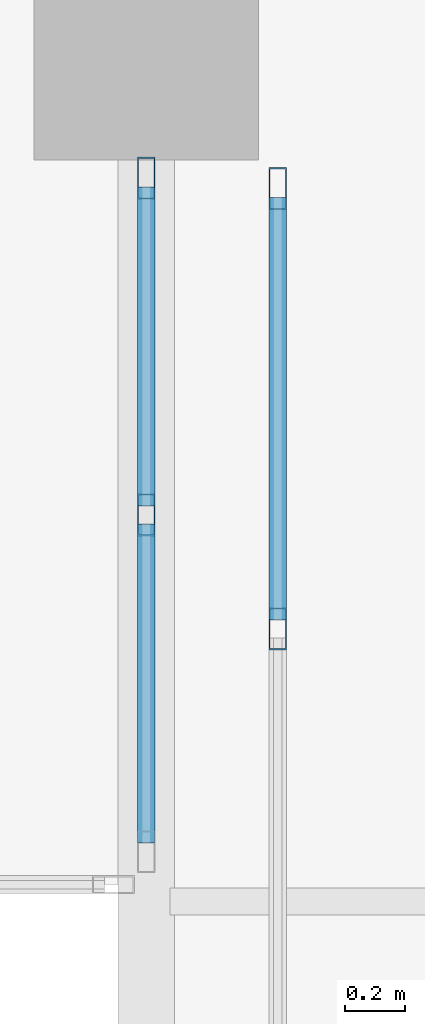
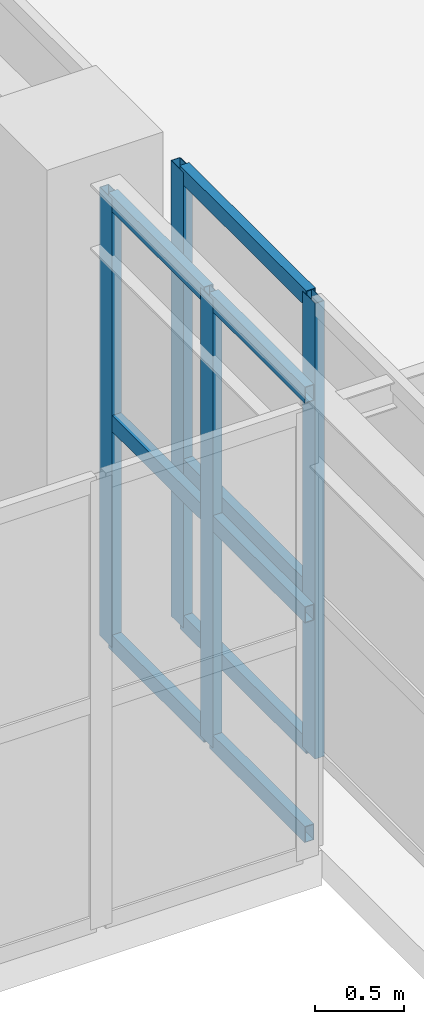
# One storey, part 59 of 200: 13 members, 2 elements without a shape of their own.
"""IFC4 building model written with IfcOpenShell, lengths in metres."""

from ifc_helpers import new_model, si_unit, direction, frame, origin, origin_2d, place, context, subcontext, project, spatial, hollow_rectangle, extrude, material, layer, layer_set, material_profile, profile_set, type_object, element, aggregate, save


model = new_model("IFC4")

# Units and contexts
model_context = context("Model", 3, precision=1e-05, world=origin(), true_north=direction((0.0, 1.0)))
body_context = subcontext(model_context, "Body", "Model", "MODEL_VIEW")
ifc_project = project(units=[si_unit("LENGTHUNIT", "METRE"), si_unit("AREAUNIT", "SQUARE_METRE"), si_unit("VOLUMEUNIT", "CUBIC_METRE"), si_unit("PLANEANGLEUNIT", "RADIAN"), si_unit("MASSUNIT", "GRAM", prefix="KILO")], contexts=[model_context])

# Site, building, storey
site_placement = place(None, origin())
site = spatial("IfcSite", under=ifc_project, at=site_placement, CompositionType="ELEMENT")
building_placement = place(site_placement, origin())
building = spatial("IfcBuilding", under=site, at=building_placement, Name="Trelvath General Hospital", CompositionType="ELEMENT")
storey_placement = place(building_placement, frame((0.0, 0.0, 4.800048828125)))
storey = spatial("IfcBuildingStorey", under=building, at=storey_placement, Name="L01", CompositionType="ELEMENT", Elevation=4.800048828125)

# Curtain wall, members
ifc_material_1 = material(Name="Anodised aluminium and low-E glass", Category="aluminium")
ifc_layer_1 = layer(ifc_material_1, 0.14990234375)
ifc_layer_set_1 = layer_set([ifc_layer_1], Name="Anodised aluminium and low-E glass")
curtain_wall_type_1 = type_object("IfcCurtainWallType", Name="CW CrystalCube 232 306 15", PredefinedType="USERDEFINED", material=ifc_layer_set_1)
curtain_wall_1_placement = place(storey_placement, origin())
curtain_wall_1 = element("IfcCurtainWall", 1, at=curtain_wall_1_placement, inside=storey, type_object=curtain_wall_type_1, Name="Crystal Cube Curtain Wall CUBE-W-T0 E1 L01", ObjectType="Unitised Glazed Curtain Wall", PredefinedType="USERDEFINED")
ifc_material_2 = material(Name="Anodised aluminium", Category="aluminium")
ifc_material_profile_1 = material_profile(ifc_material_2, hollow_rectangle(XDim=0.06005859375, YDim=0.139892578125, WallThickness=0.00390625, at=origin_2d()), Name="RHS60x140x4")
ifc_profile_set_1 = profile_set([ifc_material_profile_1], Name="Anodised aluminium")
member_type_1 = type_object("IfcMemberType", Name="CurtainMullion 60x140", PredefinedType="MULLION", material=ifc_profile_set_1)
member_1_placement = place(storey_placement, frame((75.60009765625, 33.1650390625, 0.0), z_axis=(0.0, 0.0, 1.0), x_axis=(1.0, 0.0, 0.0)))
member_1 = element("IfcMember", 2, at=member_1_placement, type_object=member_type_1, Name="CW-139 mullion 1", PredefinedType="MULLION", context=body_context, shape_type="SweptSolid", body=[
    extrude(hollow_rectangle(XDim=0.06005859375, YDim=0.139892578125, WallThickness=0.00390625, at=origin_2d()), origin(), (0.0, 0.0, 1.0), 3.06005859375),
])
member_2_placement = place(storey_placement, frame((75.60009765625, 32.03759765625, 0.0), z_axis=(0.0, 0.0, 1.0), x_axis=(1.0, 0.0, 0.0)))
member_2 = element("IfcMember", 3, at=member_2_placement, type_object=member_type_1, Name="CW-139 mullion 2", PredefinedType="MULLION", context=body_context, shape_type="SweptSolid", body=[
    extrude(hollow_rectangle(XDim=0.06005859375, YDim=0.139892578125, WallThickness=0.00390625, at=origin_2d()), origin(), (0.0, 0.0, 1.0), 3.06005859375),
])

ifc_material_3 = material(Name="Anodised aluminium and low-E glass", Category="aluminium")
ifc_layer_2 = layer(ifc_material_3, 0.139892578125)
ifc_layer_set_2 = layer_set([ifc_layer_2], Name="Anodised aluminium and low-E glass")
curtain_wall_type_2 = type_object("IfcCurtainWallType", Name="CW Bridge 752 311", PredefinedType="USERDEFINED", material=ifc_layer_set_2)
curtain_wall_2_placement = place(storey_placement, origin())
curtain_wall_2 = element("IfcCurtainWall", 4, at=curtain_wall_2_placement, inside=storey, type_object=curtain_wall_type_2, Name="Glazed Bridge Curtain Wall BRG-S-C W L01", ObjectType="Unitised Glazed Curtain Wall", PredefinedType="USERDEFINED")
member_3_placement = place(storey_placement, frame((76.0400390625, 31.656005859375, 0.0), z_axis=(0.0, 0.0, 1.0), x_axis=(-1.0, 0.0, 0.0)))
member_3 = element("IfcMember", 5, at=member_3_placement, type_object=member_type_1, Name="CW-178 mullion 5", PredefinedType="MULLION", context=body_context, shape_type="SweptSolid", body=[
    extrude(hollow_rectangle(XDim=0.06005859375, YDim=0.139892578125, WallThickness=0.00390625, at=origin_2d()), origin(), (0.0, 0.0, 1.0), 3.10986328125),
])
member_4_placement = place(storey_placement, frame((76.0400390625, 33.1298828125, 0.0), z_axis=(0.0, 0.0, 1.0), x_axis=(-1.0, 0.0, 0.0)))
member_4 = element("IfcMember", 6, at=member_4_placement, type_object=member_type_1, Name="CW-178 mullion 6", PredefinedType="MULLION", context=body_context, shape_type="SweptSolid", body=[
    extrude(hollow_rectangle(XDim=0.06005859375, YDim=0.139892578125, WallThickness=0.00390625, at=origin_2d()), origin(), (0.0, 0.0, 1.0), 3.10986328125),
])

# Member
ifc_material_4 = material(Name="Anodised aluminium", Category="aluminium")
ifc_material_profile_2 = material_profile(ifc_material_4, hollow_rectangle(XDim=0.06005859375, YDim=0.110107421875, WallThickness=0.00390625, at=origin_2d()), Name="RHS60x110x4")
ifc_profile_set_2 = profile_set([ifc_material_profile_2], Name="Anodised aluminium")
member_type_2 = type_object("IfcMemberType", Name="CurtainTransom 60x110", PredefinedType="USERDEFINED", material=ifc_profile_set_2)
member_5_placement = place(storey_placement, frame((75.60009765625, 33.135009765625, 0.030029296875), z_axis=(0.0, -1.0, 0.0), x_axis=(1.0, 0.0, 0.0)))
member_5 = element("IfcMember", 7, at=member_5_placement, type_object=member_type_2, Name="CW-139 transom 1.1", ObjectType="TRANSOM", PredefinedType="USERDEFINED", context=body_context, shape_type="SweptSolid", body=[
    extrude(hollow_rectangle(XDim=0.06005859375, YDim=0.110107421875, WallThickness=0.00390625, at=origin_2d()), origin(), (0.0, 0.0, 1.0), 1.067626953125),
])

member_6_placement = place(storey_placement, frame((75.60009765625, 33.135009765625, 1.530029296875), z_axis=(0.0, -1.0, 0.0), x_axis=(1.0, 0.0, 0.0)))
member_6 = element("IfcMember", 8, at=member_6_placement, type_object=member_type_2, Name="CW-139 transom 1.2", ObjectType="TRANSOM", PredefinedType="USERDEFINED", context=body_context, shape_type="SweptSolid", body=[
    extrude(hollow_rectangle(XDim=0.06005859375, YDim=0.110107421875, WallThickness=0.00390625, at=origin_2d()), origin(), (0.0, 0.0, 1.0), 1.067626953125),
])

member_7_placement = place(storey_placement, frame((75.60009765625, 33.135009765625, 3.030029296875), z_axis=(0.0, -1.0, 0.0), x_axis=(1.0, 0.0, 0.0)))
member_7 = element("IfcMember", 9, at=member_7_placement, type_object=member_type_2, Name="CW-139 transom 1.3", ObjectType="TRANSOM", PredefinedType="USERDEFINED", context=body_context, shape_type="SweptSolid", body=[
    extrude(hollow_rectangle(XDim=0.06005859375, YDim=0.110107421875, WallThickness=0.00390625, at=origin_2d()), origin(), (0.0, 0.0, 1.0), 1.067626953125),
])

member_8_placement = place(storey_placement, frame((75.60009765625, 32.007568359375, 0.030029296875), z_axis=(0.0, -1.0, 0.0), x_axis=(1.0, 0.0, 0.0)))
member_8 = element("IfcMember", 10, at=member_8_placement, type_object=member_type_2, Name="CW-139 transom 2.1", ObjectType="TRANSOM", PredefinedType="USERDEFINED", context=body_context, shape_type="SweptSolid", body=[
    extrude(hollow_rectangle(XDim=0.06005859375, YDim=0.110107421875, WallThickness=0.00390625, at=origin_2d()), origin(), (0.0, 0.0, 1.0), 1.067626953125),
])

member_9_placement = place(storey_placement, frame((75.60009765625, 32.007568359375, 1.530029296875), z_axis=(0.0, -1.0, 0.0), x_axis=(1.0, 0.0, 0.0)))
member_9 = element("IfcMember", 11, at=member_9_placement, type_object=member_type_2, Name="CW-139 transom 2.2", ObjectType="TRANSOM", PredefinedType="USERDEFINED", context=body_context, shape_type="SweptSolid", body=[
    extrude(hollow_rectangle(XDim=0.06005859375, YDim=0.110107421875, WallThickness=0.00390625, at=origin_2d()), origin(), (0.0, 0.0, 1.0), 1.067626953125),
])

member_10_placement = place(storey_placement, frame((75.60009765625, 32.007568359375, 3.030029296875), z_axis=(0.0, -1.0, 0.0), x_axis=(1.0, 0.0, 0.0)))
member_10 = element("IfcMember", 12, at=member_10_placement, type_object=member_type_2, Name="CW-139 transom 2.3", ObjectType="TRANSOM", PredefinedType="USERDEFINED", context=body_context, shape_type="SweptSolid", body=[
    extrude(hollow_rectangle(XDim=0.06005859375, YDim=0.110107421875, WallThickness=0.00390625, at=origin_2d()), origin(), (0.0, 0.0, 1.0), 1.067626953125),
])

aggregate(curtain_wall_1, [member_1, member_2, member_5, member_6, member_7, member_8, member_9, member_10])

member_11_placement = place(storey_placement, frame((76.0400390625, 31.68603515625, 0.030029296875), z_axis=(0.0, 1.0, 0.0), x_axis=(-1.0, 0.0, 0.0)))
member_11 = element("IfcMember", 13, at=member_11_placement, type_object=member_type_2, Name="CW-178 transom 5.1", ObjectType="TRANSOM", PredefinedType="USERDEFINED", context=body_context, shape_type="SweptSolid", body=[
    extrude(hollow_rectangle(XDim=0.06005859375, YDim=0.110107421875, WallThickness=0.00390625, at=origin_2d()), origin(), (0.0, 0.0, 1.0), 1.4140625),
])

member_12_placement = place(storey_placement, frame((76.0400390625, 31.68603515625, 1.099853515625), z_axis=(0.0, 1.0, 0.0), x_axis=(-1.0, 0.0, 0.0)))
member_12 = element("IfcMember", 14, at=member_12_placement, type_object=member_type_2, Name="CW-178 transom 5.2", ObjectType="TRANSOM", PredefinedType="USERDEFINED", context=body_context, shape_type="SweptSolid", body=[
    extrude(hollow_rectangle(XDim=0.06005859375, YDim=0.110107421875, WallThickness=0.00390625, at=origin_2d()), origin(), (0.0, 0.0, 1.0), 1.4140625),
])

member_13_placement = place(storey_placement, frame((76.0400390625, 31.68603515625, 3.079833984375), z_axis=(0.0, 1.0, 0.0), x_axis=(-1.0, 0.0, 0.0)))
member_13 = element("IfcMember", 15, at=member_13_placement, type_object=member_type_2, Name="CW-178 transom 5.3", ObjectType="TRANSOM", PredefinedType="USERDEFINED", context=body_context, shape_type="SweptSolid", body=[
    extrude(hollow_rectangle(XDim=0.06005859375, YDim=0.110107421875, WallThickness=0.00390625, at=origin_2d()), origin(), (0.0, 0.0, 1.0), 1.4140625),
])

aggregate(curtain_wall_2, [member_3, member_4, member_11, member_12, member_13])

save(model, "model.ifc")
